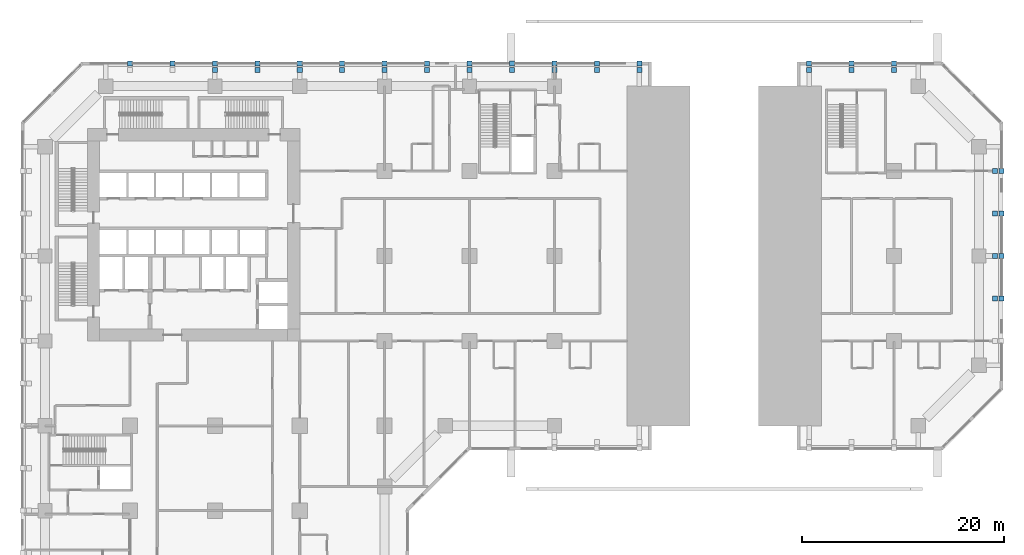
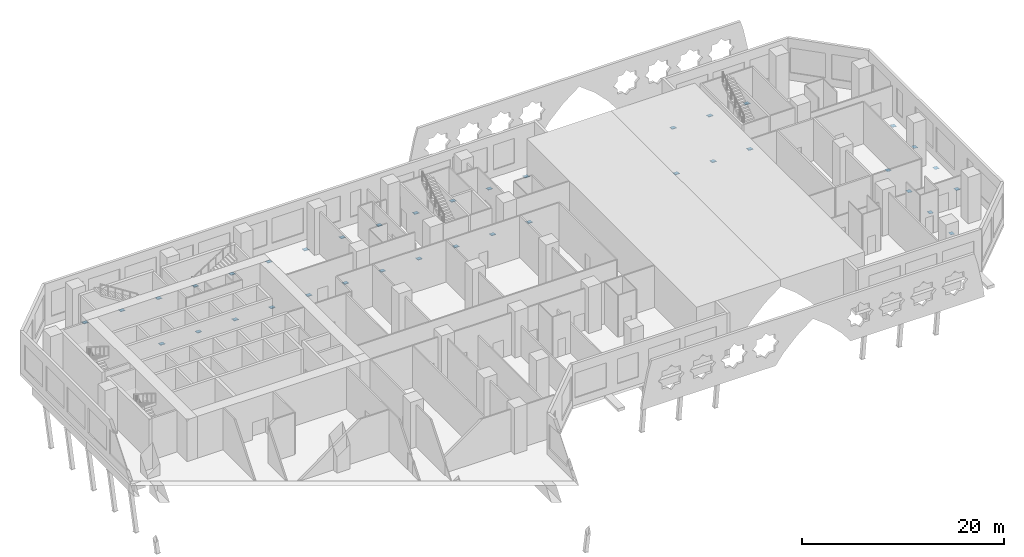
# One storey, part 17 of 24: 38 discrete accessories.
"""IFC4 building model written with IfcOpenShell, lengths in metres."""

from ifc_helpers import new_model, si_unit, direction, frame, origin, origin_2d, place, context, subcontext, project, spatial, rectangle, extrude, material, material_profile, profile_set, type_object, element, save


model = new_model("IFC4")

# Units and contexts
model_context = context("Model", 3, precision=1e-05, world=origin(), true_north=direction((0.0, 1.0)))
body_context = subcontext(model_context, "Body", "Model", "MODEL_VIEW")
ifc_project = project(units=[si_unit("LENGTHUNIT", "METRE"), si_unit("AREAUNIT", "SQUARE_METRE"), si_unit("VOLUMEUNIT", "CUBIC_METRE"), si_unit("PLANEANGLEUNIT", "RADIAN"), si_unit("MASSUNIT", "GRAM", prefix="KILO")], contexts=[model_context])

# Site, building, storey
site_placement = place(None, origin())
site = spatial("IfcSite", under=ifc_project, at=site_placement, CompositionType="ELEMENT")
building_placement = place(site_placement, origin())
building = spatial("IfcBuilding", under=site, at=building_placement, Name="Kawkab Arch Medical Tower", CompositionType="ELEMENT")
storey_placement = place(building_placement, frame((0.0, 0.0, 18.199951171875)))
storey = spatial("IfcBuildingStorey", under=building, at=storey_placement, Name="L04", CompositionType="ELEMENT", Elevation=18.199951171875)

# Discrete accessories
ifc_material = material(Name="Steel S355", Category="steel")
ifc_material_profile = material_profile(ifc_material, rectangle(XDim=0.5, YDim=0.5, at=origin_2d()), Name="End plate 500 x 20")
ifc_profile_set = profile_set([ifc_material_profile], Name="Steel S355")
discrete_accessory_type = type_object("IfcDiscreteAccessoryType", Name="End plate 500 x 20", PredefinedType="ANCHORPLATE", material=ifc_profile_set)
for number, where, z_axis, x_axis, name in (
    (1, (8.39990234375, 2.229248046875, -1.269775390625), (0.0, 0.122526572003, 0.992465233221), (-1.0, 0.0, 0.0), "End plate PRS1"),
    (2, (12.60009765625, 2.229248046875, -1.269775390625), (0.0, 0.122526572003, 0.992465233221), (-1.0, 0.0, 0.0), "End plate PRS1"),
):
    element("IfcDiscreteAccessory", number, at=place(storey_placement, frame(where, z_axis=z_axis, x_axis=x_axis)), inside=storey, type_object=discrete_accessory_type, Name=name, PredefinedType="ANCHORPLATE", context=body_context, shape_type="SweptSolid", body=[
        extrude(rectangle(XDim=0.5, YDim=0.5, at=origin_2d()), origin(), (0.0, 0.0, 1.0), 0.02001953125),
    ])
discrete_accessory_1_placement = place(storey_placement, frame((16.800048828125, 1.602294921875, -6.380126953125), z_axis=(0.0, -0.110431526075, -0.993883734674), x_axis=(1.0, 0.0, 0.0)))
element("IfcDiscreteAccessory", 3, at=discrete_accessory_1_placement, inside=storey, type_object=discrete_accessory_type, Name="End plate PRS1", PredefinedType="ANCHORPLATE", context=body_context, shape_type="SweptSolid", body=[
    extrude(rectangle(XDim=0.5, YDim=0.5, at=origin_2d()), origin(), (0.0, 0.0, 1.0), 0.019775390625),
])
discrete_accessory_2_placement = place(storey_placement, frame((16.800048828125, 2.229248046875, -1.269775390625), z_axis=(0.0, 0.122526572003, 0.992465233221), x_axis=(-1.0, 0.0, 0.0)))
element("IfcDiscreteAccessory", 4, at=discrete_accessory_2_placement, inside=storey, type_object=discrete_accessory_type, Name="End plate PRS1", PredefinedType="ANCHORPLATE", context=body_context, shape_type="SweptSolid", body=[
    extrude(rectangle(XDim=0.5, YDim=0.5, at=origin_2d()), origin(), (0.0, 0.0, 1.0), 0.02001953125),
])
discrete_accessory_3_placement = place(storey_placement, frame((21.0, 1.602294921875, -6.380126953125), z_axis=(0.0, -0.110431526075, -0.993883734674), x_axis=(1.0, 0.0, 0.0)))
element("IfcDiscreteAccessory", 5, at=discrete_accessory_3_placement, inside=storey, type_object=discrete_accessory_type, Name="End plate PRS1", PredefinedType="ANCHORPLATE", context=body_context, shape_type="SweptSolid", body=[
    extrude(rectangle(XDim=0.5, YDim=0.5, at=origin_2d()), origin(), (0.0, 0.0, 1.0), 0.019775390625),
])
discrete_accessory_4_placement = place(storey_placement, frame((21.0, 2.229248046875, -1.269775390625), z_axis=(0.0, 0.122526572003, 0.992465233221), x_axis=(-1.0, 0.0, 0.0)))
element("IfcDiscreteAccessory", 6, at=discrete_accessory_4_placement, inside=storey, type_object=discrete_accessory_type, Name="End plate PRS1", PredefinedType="ANCHORPLATE", context=body_context, shape_type="SweptSolid", body=[
    extrude(rectangle(XDim=0.5, YDim=0.5, at=origin_2d()), origin(), (0.0, 0.0, 1.0), 0.02001953125),
])
discrete_accessory_5_placement = place(storey_placement, frame((25.199951171875, 1.602294921875, -6.380126953125), z_axis=(0.0, -0.110431526075, -0.993883734674), x_axis=(1.0, 0.0, 0.0)))
element("IfcDiscreteAccessory", 7, at=discrete_accessory_5_placement, inside=storey, type_object=discrete_accessory_type, Name="End plate PRS1", PredefinedType="ANCHORPLATE", context=body_context, shape_type="SweptSolid", body=[
    extrude(rectangle(XDim=0.5, YDim=0.5, at=origin_2d()), origin(), (0.0, 0.0, 1.0), 0.019775390625),
])
discrete_accessory_6_placement = place(storey_placement, frame((25.199951171875, 2.229248046875, -1.269775390625), z_axis=(0.0, 0.122526572003, 0.992465233221), x_axis=(-1.0, 0.0, 0.0)))
element("IfcDiscreteAccessory", 8, at=discrete_accessory_6_placement, inside=storey, type_object=discrete_accessory_type, Name="End plate PRS1", PredefinedType="ANCHORPLATE", context=body_context, shape_type="SweptSolid", body=[
    extrude(rectangle(XDim=0.5, YDim=0.5, at=origin_2d()), origin(), (0.0, 0.0, 1.0), 0.02001953125),
])
discrete_accessory_7_placement = place(storey_placement, frame((29.39990234375, 1.602294921875, -6.380126953125), z_axis=(0.0, -0.110431526075, -0.993883734674), x_axis=(1.0, 0.0, 0.0)))
element("IfcDiscreteAccessory", 9, at=discrete_accessory_7_placement, inside=storey, type_object=discrete_accessory_type, Name="End plate PRS1", PredefinedType="ANCHORPLATE", context=body_context, shape_type="SweptSolid", body=[
    extrude(rectangle(XDim=0.5, YDim=0.5, at=origin_2d()), origin(), (0.0, 0.0, 1.0), 0.019775390625),
])
discrete_accessory_8_placement = place(storey_placement, frame((29.39990234375, 2.229248046875, -1.269775390625), z_axis=(0.0, 0.122526572003, 0.992465233221), x_axis=(-1.0, 0.0, 0.0)))
element("IfcDiscreteAccessory", 10, at=discrete_accessory_8_placement, inside=storey, type_object=discrete_accessory_type, Name="End plate PRS1", PredefinedType="ANCHORPLATE", context=body_context, shape_type="SweptSolid", body=[
    extrude(rectangle(XDim=0.5, YDim=0.5, at=origin_2d()), origin(), (0.0, 0.0, 1.0), 0.02001953125),
])
discrete_accessory_9_placement = place(storey_placement, frame((33.60009765625, 1.602294921875, -6.380126953125), z_axis=(0.0, -0.110431526075, -0.993883734674), x_axis=(1.0, 0.0, 0.0)))
element("IfcDiscreteAccessory", 11, at=discrete_accessory_9_placement, inside=storey, type_object=discrete_accessory_type, Name="End plate PRS1", PredefinedType="ANCHORPLATE", context=body_context, shape_type="SweptSolid", body=[
    extrude(rectangle(XDim=0.5, YDim=0.5, at=origin_2d()), origin(), (0.0, 0.0, 1.0), 0.019775390625),
])
discrete_accessory_10_placement = place(storey_placement, frame((33.60009765625, 2.229248046875, -1.269775390625), z_axis=(0.0, 0.122526572003, 0.992465233221), x_axis=(-1.0, 0.0, 0.0)))
element("IfcDiscreteAccessory", 12, at=discrete_accessory_10_placement, inside=storey, type_object=discrete_accessory_type, Name="End plate PRS1", PredefinedType="ANCHORPLATE", context=body_context, shape_type="SweptSolid", body=[
    extrude(rectangle(XDim=0.5, YDim=0.5, at=origin_2d()), origin(), (0.0, 0.0, 1.0), 0.02001953125),
])
discrete_accessory_11_placement = place(storey_placement, frame((37.800048828125, 1.602294921875, -6.380126953125), z_axis=(0.0, -0.110431526075, -0.993883734674), x_axis=(1.0, 0.0, 0.0)))
element("IfcDiscreteAccessory", 13, at=discrete_accessory_11_placement, inside=storey, type_object=discrete_accessory_type, Name="End plate PRS1", PredefinedType="ANCHORPLATE", context=body_context, shape_type="SweptSolid", body=[
    extrude(rectangle(XDim=0.5, YDim=0.5, at=origin_2d()), origin(), (0.0, 0.0, 1.0), 0.019775390625),
])
discrete_accessory_12_placement = place(storey_placement, frame((37.800048828125, 2.229248046875, -1.269775390625), z_axis=(0.0, 0.122526572003, 0.992465233221), x_axis=(-1.0, 0.0, 0.0)))
element("IfcDiscreteAccessory", 14, at=discrete_accessory_12_placement, inside=storey, type_object=discrete_accessory_type, Name="End plate PRS1", PredefinedType="ANCHORPLATE", context=body_context, shape_type="SweptSolid", body=[
    extrude(rectangle(XDim=0.5, YDim=0.5, at=origin_2d()), origin(), (0.0, 0.0, 1.0), 0.02001953125),
])
discrete_accessory_13_placement = place(storey_placement, frame((42.0, 1.602294921875, -6.380126953125), z_axis=(0.0, -0.110431526075, -0.993883734674), x_axis=(1.0, 0.0, 0.0)))
element("IfcDiscreteAccessory", 15, at=discrete_accessory_13_placement, inside=storey, type_object=discrete_accessory_type, Name="End plate PRS1", PredefinedType="ANCHORPLATE", context=body_context, shape_type="SweptSolid", body=[
    extrude(rectangle(XDim=0.5, YDim=0.5, at=origin_2d()), origin(), (0.0, 0.0, 1.0), 0.019775390625),
])
discrete_accessory_14_placement = place(storey_placement, frame((42.0, 2.229248046875, -1.269775390625), z_axis=(0.0, 0.122526572003, 0.992465233221), x_axis=(-1.0, 0.0, 0.0)))
element("IfcDiscreteAccessory", 16, at=discrete_accessory_14_placement, inside=storey, type_object=discrete_accessory_type, Name="End plate PRS1", PredefinedType="ANCHORPLATE", context=body_context, shape_type="SweptSolid", body=[
    extrude(rectangle(XDim=0.5, YDim=0.5, at=origin_2d()), origin(), (0.0, 0.0, 1.0), 0.02001953125),
])
discrete_accessory_15_placement = place(storey_placement, frame((46.199951171875, 1.602294921875, -6.380126953125), z_axis=(0.0, -0.110431526075, -0.993883734674), x_axis=(1.0, 0.0, 0.0)))
element("IfcDiscreteAccessory", 17, at=discrete_accessory_15_placement, inside=storey, type_object=discrete_accessory_type, Name="End plate PRS1", PredefinedType="ANCHORPLATE", context=body_context, shape_type="SweptSolid", body=[
    extrude(rectangle(XDim=0.5, YDim=0.5, at=origin_2d()), origin(), (0.0, 0.0, 1.0), 0.019775390625),
])
discrete_accessory_16_placement = place(storey_placement, frame((46.199951171875, 2.229248046875, -1.269775390625), z_axis=(0.0, 0.122526572003, 0.992465233221), x_axis=(-1.0, 0.0, 0.0)))
element("IfcDiscreteAccessory", 18, at=discrete_accessory_16_placement, inside=storey, type_object=discrete_accessory_type, Name="End plate PRS1", PredefinedType="ANCHORPLATE", context=body_context, shape_type="SweptSolid", body=[
    extrude(rectangle(XDim=0.5, YDim=0.5, at=origin_2d()), origin(), (0.0, 0.0, 1.0), 0.02001953125),
])
discrete_accessory_17_placement = place(storey_placement, frame((50.39990234375, 1.602294921875, -6.380126953125), z_axis=(0.0, -0.110431526075, -0.993883734674), x_axis=(1.0, 0.0, 0.0)))
element("IfcDiscreteAccessory", 19, at=discrete_accessory_17_placement, inside=storey, type_object=discrete_accessory_type, Name="End plate PRS1", PredefinedType="ANCHORPLATE", context=body_context, shape_type="SweptSolid", body=[
    extrude(rectangle(XDim=0.5, YDim=0.5, at=origin_2d()), origin(), (0.0, 0.0, 1.0), 0.019775390625),
])
discrete_accessory_18_placement = place(storey_placement, frame((50.39990234375, 2.229248046875, -1.269775390625), z_axis=(0.0, 0.122526572003, 0.992465233221), x_axis=(-1.0, 0.0, 0.0)))
element("IfcDiscreteAccessory", 20, at=discrete_accessory_18_placement, inside=storey, type_object=discrete_accessory_type, Name="End plate PRS1", PredefinedType="ANCHORPLATE", context=body_context, shape_type="SweptSolid", body=[
    extrude(rectangle(XDim=0.5, YDim=0.5, at=origin_2d()), origin(), (0.0, 0.0, 1.0), 0.02001953125),
])
discrete_accessory_19_placement = place(storey_placement, frame((54.60009765625, 1.602294921875, -6.380126953125), z_axis=(0.0, -0.110431526075, -0.993883734674), x_axis=(1.0, 0.0, 0.0)))
element("IfcDiscreteAccessory", 21, at=discrete_accessory_19_placement, inside=storey, type_object=discrete_accessory_type, Name="End plate PRS1", PredefinedType="ANCHORPLATE", context=body_context, shape_type="SweptSolid", body=[
    extrude(rectangle(XDim=0.5, YDim=0.5, at=origin_2d()), origin(), (0.0, 0.0, 1.0), 0.019775390625),
])
discrete_accessory_20_placement = place(storey_placement, frame((54.60009765625, 2.229248046875, -1.269775390625), z_axis=(0.0, 0.122526572003, 0.992465233221), x_axis=(-1.0, 0.0, 0.0)))
element("IfcDiscreteAccessory", 22, at=discrete_accessory_20_placement, inside=storey, type_object=discrete_accessory_type, Name="End plate PRS1", PredefinedType="ANCHORPLATE", context=body_context, shape_type="SweptSolid", body=[
    extrude(rectangle(XDim=0.5, YDim=0.5, at=origin_2d()), origin(), (0.0, 0.0, 1.0), 0.02001953125),
])
discrete_accessory_21_placement = place(storey_placement, frame((58.800048828125, 1.602294921875, -6.380126953125), z_axis=(0.0, -0.110431526075, -0.993883734674), x_axis=(1.0, 0.0, 0.0)))
element("IfcDiscreteAccessory", 23, at=discrete_accessory_21_placement, inside=storey, type_object=discrete_accessory_type, Name="End plate PRS1", PredefinedType="ANCHORPLATE", context=body_context, shape_type="SweptSolid", body=[
    extrude(rectangle(XDim=0.5, YDim=0.5, at=origin_2d()), origin(), (0.0, 0.0, 1.0), 0.019775390625),
])
discrete_accessory_22_placement = place(storey_placement, frame((58.800048828125, 2.229248046875, -1.269775390625), z_axis=(0.0, 0.122526572003, 0.992465233221), x_axis=(-1.0, 0.0, 0.0)))
element("IfcDiscreteAccessory", 24, at=discrete_accessory_22_placement, inside=storey, type_object=discrete_accessory_type, Name="End plate PRS1", PredefinedType="ANCHORPLATE", context=body_context, shape_type="SweptSolid", body=[
    extrude(rectangle(XDim=0.5, YDim=0.5, at=origin_2d()), origin(), (0.0, 0.0, 1.0), 0.02001953125),
])
discrete_accessory_23_placement = place(storey_placement, frame((75.60009765625, 1.602294921875, -6.380126953125), z_axis=(0.0, -0.110431526075, -0.993883734674), x_axis=(1.0, 0.0, 0.0)))
element("IfcDiscreteAccessory", 25, at=discrete_accessory_23_placement, inside=storey, type_object=discrete_accessory_type, Name="End plate PRS1", PredefinedType="ANCHORPLATE", context=body_context, shape_type="SweptSolid", body=[
    extrude(rectangle(XDim=0.5, YDim=0.5, at=origin_2d()), origin(), (0.0, 0.0, 1.0), 0.019775390625),
])
discrete_accessory_24_placement = place(storey_placement, frame((75.60009765625, 2.229248046875, -1.269775390625), z_axis=(0.0, 0.122526572003, 0.992465233221), x_axis=(-1.0, 0.0, 0.0)))
element("IfcDiscreteAccessory", 26, at=discrete_accessory_24_placement, inside=storey, type_object=discrete_accessory_type, Name="End plate PRS1", PredefinedType="ANCHORPLATE", context=body_context, shape_type="SweptSolid", body=[
    extrude(rectangle(XDim=0.5, YDim=0.5, at=origin_2d()), origin(), (0.0, 0.0, 1.0), 0.02001953125),
])
discrete_accessory_25_placement = place(storey_placement, frame((79.800048828125, 1.602294921875, -6.380126953125), z_axis=(0.0, -0.110431526075, -0.993883734674), x_axis=(1.0, 0.0, 0.0)))
element("IfcDiscreteAccessory", 27, at=discrete_accessory_25_placement, inside=storey, type_object=discrete_accessory_type, Name="End plate PRS1", PredefinedType="ANCHORPLATE", context=body_context, shape_type="SweptSolid", body=[
    extrude(rectangle(XDim=0.5, YDim=0.5, at=origin_2d()), origin(), (0.0, 0.0, 1.0), 0.019775390625),
])
discrete_accessory_26_placement = place(storey_placement, frame((79.800048828125, 2.229248046875, -1.269775390625), z_axis=(0.0, 0.122526572003, 0.992465233221), x_axis=(-1.0, 0.0, 0.0)))
element("IfcDiscreteAccessory", 28, at=discrete_accessory_26_placement, inside=storey, type_object=discrete_accessory_type, Name="End plate PRS1", PredefinedType="ANCHORPLATE", context=body_context, shape_type="SweptSolid", body=[
    extrude(rectangle(XDim=0.5, YDim=0.5, at=origin_2d()), origin(), (0.0, 0.0, 1.0), 0.02001953125),
])
discrete_accessory_27_placement = place(storey_placement, frame((84.0, 1.602294921875, -6.380126953125), z_axis=(0.0, -0.110431526075, -0.993883734674), x_axis=(1.0, 0.0, 0.0)))
element("IfcDiscreteAccessory", 29, at=discrete_accessory_27_placement, inside=storey, type_object=discrete_accessory_type, Name="End plate PRS1", PredefinedType="ANCHORPLATE", context=body_context, shape_type="SweptSolid", body=[
    extrude(rectangle(XDim=0.5, YDim=0.5, at=origin_2d()), origin(), (0.0, 0.0, 1.0), 0.019775390625),
])
for number, where, z_axis, x_axis, name in (
    (30, (84.0, 2.229248046875, -1.269775390625), (0.0, 0.122526572003, 0.992465233221), (-1.0, 0.0, 0.0), "End plate PRS1"),
    (31, (94.00244140625, -8.39990234375, -6.380126953125), (-0.122526572003, 0.0, -0.992465233221), (0.0, -1.0, 0.0), "End plate PRS1"),
    (32, (94.629150390625, -8.39990234375, -1.269775390625), (0.122526572003, 0.0, 0.992465233221), (0.0, 1.0, 0.0), "End plate PRS1"),
    (33, (94.00244140625, -12.60009765625, -6.380126953125), (-0.122526572003, 0.0, -0.992465233221), (0.0, -1.0, 0.0), "End plate PRS1"),
    (34, (94.629150390625, -12.60009765625, -1.269775390625), (0.122526572003, 0.0, 0.992465233221), (0.0, 1.0, 0.0), "End plate PRS1"),
    (35, (94.00244140625, -16.800048828125, -6.380126953125), (-0.122526572003, 0.0, -0.992465233221), (0.0, -1.0, 0.0), "End plate PRS1"),
    (36, (94.629150390625, -16.800048828125, -1.269775390625), (0.122526572003, 0.0, 0.992465233221), (0.0, 1.0, 0.0), "End plate PRS1"),
    (37, (94.00244140625, -21.0, -6.380126953125), (-0.122526572003, 0.0, -0.992465233221), (0.0, -1.0, 0.0), "End plate PRS1"),
    (38, (94.629150390625, -21.0, -1.269775390625), (0.122526572003, 0.0, 0.992465233221), (0.0, 1.0, 0.0), "End plate PRS1"),
):
    element("IfcDiscreteAccessory", number, at=place(storey_placement, frame(where, z_axis=z_axis, x_axis=x_axis)), inside=storey, type_object=discrete_accessory_type, Name=name, PredefinedType="ANCHORPLATE", context=body_context, shape_type="SweptSolid", body=[
        extrude(rectangle(XDim=0.5, YDim=0.5, at=origin_2d()), origin(), (0.0, 0.0, 1.0), 0.02001953125),
    ])

save(model, "model.ifc")
